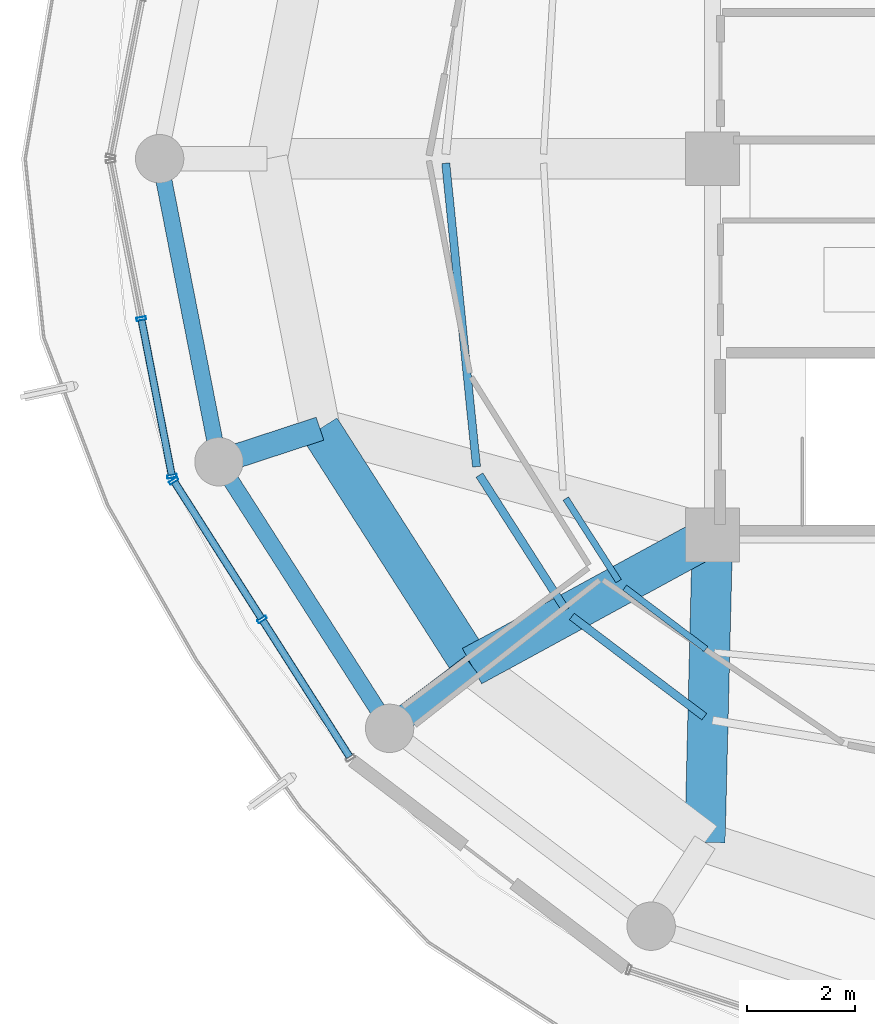
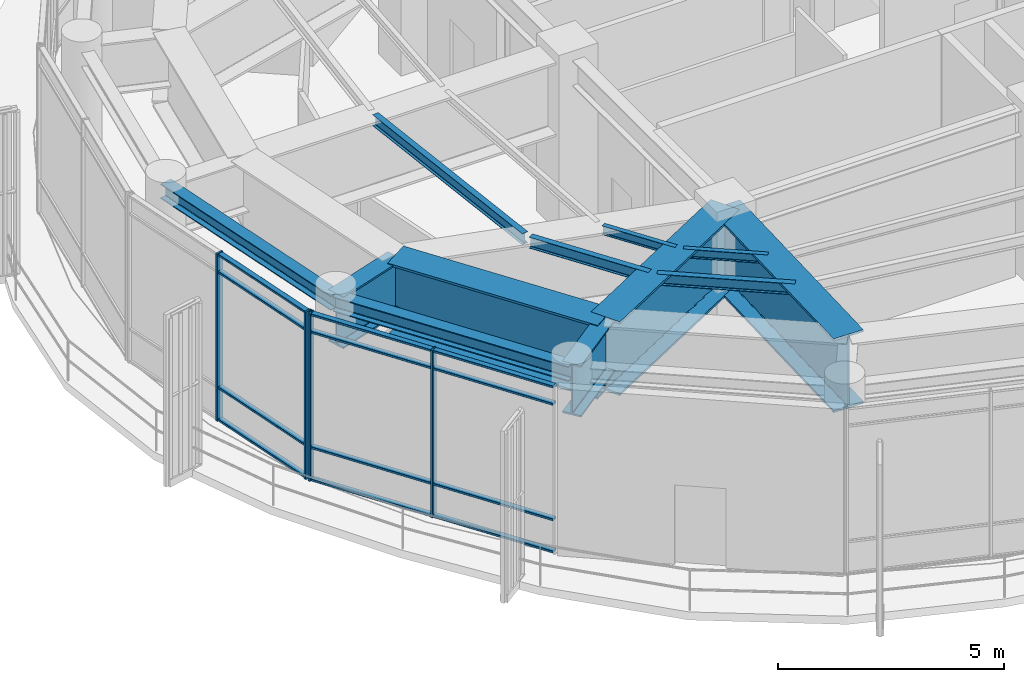
# One storey, part 3 of 23: 16 members, 12 beams, 2 elements without a shape of their own.
"""IFC4 building model written with IfcOpenShell, lengths in metres."""

from ifc_helpers import new_model, si_unit, direction, frame, origin, origin_2d, place, context, subcontext, project, spatial, hollow_rectangle, i_section, extrude, material, layer, layer_set, material_profile, profile_set, type_object, element, aggregate, save


model = new_model("IFC4")

# Units and contexts
model_context = context("Model", 3, precision=1e-05, world=origin(), true_north=direction((0.0, 1.0)))
body_context = subcontext(model_context, "Body", "Model", "MODEL_VIEW")
ifc_project = project(units=[si_unit("LENGTHUNIT", "METRE"), si_unit("AREAUNIT", "SQUARE_METRE"), si_unit("VOLUMEUNIT", "CUBIC_METRE"), si_unit("PLANEANGLEUNIT", "RADIAN"), si_unit("MASSUNIT", "GRAM", prefix="KILO")], contexts=[model_context])

# Site, building, storey
site_placement = place(None, origin())
site = spatial("IfcSite", under=ifc_project, at=site_placement, CompositionType="ELEMENT")
building_placement = place(site_placement, origin())
building = spatial("IfcBuilding", under=site, at=building_placement, Name="Kelanora Arch Commons", CompositionType="ELEMENT")
storey_placement = place(building_placement, frame((0.0, 0.0, 293.699951171875)))
storey = spatial("IfcBuildingStorey", under=building, at=storey_placement, Name="L75", CompositionType="ELEMENT", Elevation=293.699951171875)

# Beams
ifc_material_1 = material(Name="Steel S355", Category="steel")
ifc_material_profile_1 = material_profile(ifc_material_1, i_section(OverallWidth=0.14990234375, OverallDepth=0.300048828125, WebThickness=0.007080078125, FlangeThickness=0.0107421875, FilletRadius=0.014892578125, at=origin_2d()), Name="IPE300")
ifc_profile_set_1 = profile_set([ifc_material_profile_1], Name="Steel S355")
beam_type_1 = type_object("IfcBeamType", Name="BM-JST-01", PredefinedType="JOIST", material=ifc_profile_set_1)
beam_1_placement = place(storey_placement, frame((61.04052734375, 57.915283203125, 4.39013671875), z_axis=(0.100846008885, -0.994902046682, 0.0), x_axis=(0.994902046682, 0.100846008885, 0.0)))
element("IfcBeam", 1, at=beam_1_placement, inside=storey, type_object=beam_type_1, Name="Secondary Chord Joist BJB-18 L75", PredefinedType="JOIST", context=body_context, shape_type="SweptSolid", body=[
    extrude(i_section(OverallWidth=0.14990234375, OverallDepth=0.300048828125, WebThickness=0.007080078125, FlangeThickness=0.0107421875, FilletRadius=0.014892578125, at=origin_2d()), origin(), (0.0, 0.0, 1.0), 5.672119140625),
])
beam_2_placement = place(storey_placement, frame((61.6669921875, 52.115966796875, 4.39013671875), z_axis=(0.539193378054, -0.84218198809, 0.0), x_axis=(0.84218198809, 0.539193378054, 0.0)))
element("IfcBeam", 2, at=beam_2_placement, inside=storey, type_object=beam_type_1, Name="Secondary Chord Joist BJB-20 L75", PredefinedType="JOIST", context=body_context, shape_type="SweptSolid", body=[
    extrude(i_section(OverallWidth=0.14990234375, OverallDepth=0.300048828125, WebThickness=0.007080078125, FlangeThickness=0.0107421875, FilletRadius=0.014892578125, at=origin_2d()), origin(), (0.0, 0.0, 1.0), 2.975830078125),
])
beam_3_placement = place(storey_placement, frame((63.385009765625, 49.487060546875, 4.39013671875), z_axis=(0.797441333972, -0.603396485632, 0.0), x_axis=(0.603396485632, 0.797441333972, 0.0)))
element("IfcBeam", 3, at=beam_3_placement, inside=storey, type_object=beam_type_1, Name="Secondary Chord Joist BJB-22 L75", PredefinedType="JOIST", context=body_context, shape_type="SweptSolid", body=[
    extrude(i_section(OverallWidth=0.14990234375, OverallDepth=0.300048828125, WebThickness=0.007080078125, FlangeThickness=0.0107421875, FilletRadius=0.014892578125, at=origin_2d()), origin(), (0.0, 0.0, 1.0), 3.0888671875),
])
ifc_material_profile_2 = material_profile(ifc_material_1, i_section(OverallWidth=0.1201171875, OverallDepth=0.239990234375, WebThickness=0.006103515625, FlangeThickness=0.009765625, FilletRadius=0.014892578125, at=origin_2d()), Name="IPE240")
ifc_profile_set_2 = profile_set([ifc_material_profile_2], Name="Steel S355")
beam_type_2 = type_object("IfcBeamType", Name="BM-JST-02", PredefinedType="JOIST", material=ifc_profile_set_2)
beam_4_placement = place(storey_placement, frame((63.2724609375, 51.680419921875, 4.420166015625), z_axis=(0.539300812993, -0.842113194947, 0.0), x_axis=(0.842113194947, 0.539300812993, 0.0)))
element("IfcBeam", 4, at=beam_4_placement, inside=storey, type_object=beam_type_2, Name="Secondary Chord Joist BJA-20 L75", PredefinedType="JOIST", context=body_context, shape_type="SweptSolid", body=[
    extrude(i_section(OverallWidth=0.1201171875, OverallDepth=0.239990234375, WebThickness=0.006103515625, FlangeThickness=0.009765625, FilletRadius=0.014892578125, at=origin_2d()), origin(), (0.0, 0.0, 1.0), 1.822021484375),
])
beam_5_placement = place(storey_placement, frame((64.36865234375, 50.02294921875, 4.420166015625), z_axis=(0.797424826317, -0.603418301324, 0.0), x_axis=(0.603418301324, 0.797424826317, 0.0)))
element("IfcBeam", 5, at=beam_5_placement, inside=storey, type_object=beam_type_2, Name="Secondary Chord Joist BJA-22 L75", PredefinedType="JOIST", context=body_context, shape_type="SweptSolid", body=[
    extrude(i_section(OverallWidth=0.1201171875, OverallDepth=0.239990234375, WebThickness=0.006103515625, FlangeThickness=0.009765625, FilletRadius=0.014892578125, at=origin_2d()), origin(), (0.0, 0.0, 1.0), 1.893798828125),
])
ifc_material_profile_3 = material_profile(ifc_material_1, i_section(OverallWidth=0.449951171875, OverallDepth=1.39990234375, WebThickness=0.028076171875, FlangeThickness=0.044921875, FilletRadius=0.02392578125, at=origin_2d()), Name="PG1400x450")
ifc_profile_set_3 = profile_set([ifc_material_profile_3], Name="Steel S355")
beam_type_3 = type_object("IfcBeamType", Name="BM-MAST-GRIL", PredefinedType="USERDEFINED", material=ifc_profile_set_3)
beam_6_placement = place(storey_placement, frame((58.701904296875, 52.97900390625, 3.820068359375), z_axis=(-0.950336730407, -0.311223551228, 0.0), x_axis=(0.311223551228, -0.950336730407, 0.0)))
element("IfcBeam", 6, at=beam_6_placement, inside=storey, type_object=beam_type_3, Name="Radial Floor Girder BR-20 L75", ObjectType="TRANSFER_GIRDER", PredefinedType="USERDEFINED", context=body_context, shape_type="SweptSolid", body=[
    extrude(i_section(OverallWidth=0.449951171875, OverallDepth=1.39990234375, WebThickness=0.028076171875, FlangeThickness=0.044921875, FilletRadius=0.02392578125, at=origin_2d()), origin(), (0.0, 0.0, 1.0), 1.9775390625),
])
beam_7_placement = place(storey_placement, frame((61.52880859375, 48.56396484375, 3.820068359375), z_axis=(-0.798042616897, -0.60260101362, 0.0), x_axis=(0.60260101362, -0.798042616897, 0.0)))
element("IfcBeam", 7, at=beam_7_placement, inside=storey, type_object=beam_type_3, Name="Radial Floor Girder BR-22 L75", ObjectType="TRANSFER_GIRDER", PredefinedType="USERDEFINED", context=body_context, shape_type="SweptSolid", body=[
    extrude(i_section(OverallWidth=0.449951171875, OverallDepth=1.39990234375, WebThickness=0.028076171875, FlangeThickness=0.044921875, FilletRadius=0.02392578125, at=origin_2d()), origin(), (0.0, 0.0, 1.0), 1.919921875),
])
ifc_material_profile_4 = material_profile(ifc_material_1, i_section(OverallWidth=0.300048828125, OverallDepth=0.39990234375, WebThickness=0.013427734375, FlangeThickness=0.02392578125, FilletRadius=0.027099609375, at=origin_2d()), Name="HEB400")
ifc_profile_set_4 = profile_set([ifc_material_profile_4], Name="Steel S355")
beam_type_4 = type_object("IfcBeamType", Name="BM-SPN-Z4", PredefinedType="SPANDREL", material=ifc_profile_set_4)
beam_8_placement = place(storey_placement, frame((55.719970703125, 58.0, 4.320068359375), z_axis=(0.191969774604, -0.981400838413, 0.0), x_axis=(0.981400838413, 0.191969774604, 0.0)))
element("IfcBeam", 8, at=beam_8_placement, inside=storey, type_object=beam_type_4, Name="Perimeter Spandrel Beam BS-18 L75", PredefinedType="SPANDREL", context=body_context, shape_type="SweptSolid", body=[
    extrude(i_section(OverallWidth=0.300048828125, OverallDepth=0.39990234375, WebThickness=0.013427734375, FlangeThickness=0.02392578125, FilletRadius=0.027099609375, at=origin_2d()), origin(), (0.0, 0.0, 1.0), 5.743408203125),
])
beam_9_placement = place(storey_placement, frame((56.822509765625, 52.363525390625, 4.320068359375), z_axis=(0.539280851353, -0.842125978322, 0.0), x_axis=(0.842125978322, 0.539280851353, 0.0)))
element("IfcBeam", 9, at=beam_9_placement, inside=storey, type_object=beam_type_4, Name="Perimeter Spandrel Beam BS-20 L75", PredefinedType="SPANDREL", context=body_context, shape_type="SweptSolid", body=[
    extrude(i_section(OverallWidth=0.300048828125, OverallDepth=0.39990234375, WebThickness=0.013427734375, FlangeThickness=0.02392578125, FilletRadius=0.027099609375, at=origin_2d()), origin(), (0.0, 0.0, 1.0), 5.8857421875),
])
ifc_material_profile_5 = material_profile(ifc_material_1, i_section(OverallWidth=0.75, OverallDepth=2.0, WebThickness=0.034912109375, FlangeThickness=0.06005859375, FilletRadius=0.028076171875, at=origin_2d()), Name="PG2000x750")
ifc_profile_set_5 = profile_set([ifc_material_profile_5], Name="Steel S355")
beam_type_5 = type_object("IfcBeamType", Name="BM-XFER-SET", PredefinedType="USERDEFINED", material=ifc_profile_set_5)
beam_10_placement = place(storey_placement, frame((66.0, 51.0, 3.5400390625), z_axis=(-0.878126355987, -0.478428785631, 0.0), x_axis=(0.478428785631, -0.878126355987, 0.0)))
element("IfcBeam", 10, at=beam_10_placement, inside=storey, type_object=beam_type_5, Name="Setback Radial Transfer Girder BRI-22 L75", ObjectType="TRANSFER_GIRDER", PredefinedType="USERDEFINED", context=body_context, shape_type="SweptSolid", body=[
    extrude(i_section(OverallWidth=0.75, OverallDepth=2.0, WebThickness=0.034912109375, FlangeThickness=0.06005859375, FilletRadius=0.028076171875, at=origin_2d()), origin(), (0.0, 0.0, 1.0), 5.091796875),
])
beam_11_placement = place(storey_placement, frame((66.0, 51.0, 3.5400390625), z_axis=(-0.0244777504, -0.99970037498, 0.0), x_axis=(0.99970037498, -0.0244777504, 0.0)))
element("IfcBeam", 11, at=beam_11_placement, inside=storey, type_object=beam_type_5, Name="Setback Radial Transfer Girder BRI-24 L75", ObjectType="TRANSFER_GIRDER", PredefinedType="USERDEFINED", context=body_context, shape_type="SweptSolid", body=[
    extrude(i_section(OverallWidth=0.75, OverallDepth=2.0, WebThickness=0.034912109375, FlangeThickness=0.06005859375, FilletRadius=0.028076171875, at=origin_2d()), origin(), (0.0, 0.0, 1.0), 5.715087890625),
])
beam_12_placement = place(storey_placement, frame((58.701904296875, 52.97900390625, 3.5400390625), z_axis=(0.53922680048, -0.842160588987, 0.0), x_axis=(0.842160588987, 0.53922680048, 0.0)))
element("IfcBeam", 12, at=beam_12_placement, inside=storey, type_object=beam_type_5, Name="Setback Inner Transfer Ring BSI-20 L75", ObjectType="TRANSFER_GIRDER", PredefinedType="USERDEFINED", context=body_context, shape_type="SweptSolid", body=[
    extrude(i_section(OverallWidth=0.75, OverallDepth=2.0, WebThickness=0.034912109375, FlangeThickness=0.06005859375, FilletRadius=0.028076171875, at=origin_2d()), origin(), (0.0, 0.0, 1.0), 5.242431640625),
])

# Curtain wall, members
ifc_material_2 = material(Name="Terracotta ceramic-fritted low-E glass and aluminium", Category="masonry")
ifc_layer = layer(ifc_material_2, 0.22509765625)
ifc_layer_set = layer_set([ifc_layer], Name="Terracotta ceramic-fritted low-E glass and aluminium")
curtain_wall_type = type_object("IfcCurtainWallType", Name="CW-SYS-05", PredefinedType="NOTDEFINED", material=ifc_layer_set)
curtain_wall_1_placement = place(storey_placement, origin())
curtain_wall_1 = element("IfcCurtainWall", 13, at=curtain_wall_1_placement, inside=storey, type_object=curtain_wall_type, Name="Unitised Curtain Wall L75-B09", PredefinedType="NOTDEFINED")
ifc_material_3 = material(Name="Powder-coated aluminium terracotta", Category="masonry")
ifc_material_profile_6 = material_profile(ifc_material_3, hollow_rectangle(XDim=0.179931640625, YDim=0.06005859375, WallThickness=0.0048828125, InnerFilletRadius=0.0048828125, OuterFilletRadius=0.010009765625, at=origin_2d()), Name="CWM180x60")
ifc_profile_set_6 = profile_set([ifc_material_profile_6], Name="Powder-coated aluminium terracotta")
member_type_1 = type_object("IfcMemberType", Name="CWM-HVY", PredefinedType="MULLION", material=ifc_profile_set_6)
member_1_placement = place(storey_placement, frame((55.37890625, 55.0244140625, 0.0), z_axis=(0.0, 0.0, 1.0), x_axis=(0.981595542501, 0.190971701941, 0.0)))
member_1 = element("IfcMember", 14, at=member_1_placement, type_object=member_type_1, Name="CW-05 mullion 2", PredefinedType="MULLION", context=body_context, shape_type="SweptSolid", body=[
    extrude(hollow_rectangle(XDim=0.179931640625, YDim=0.06005859375, WallThickness=0.0048828125, InnerFilletRadius=0.0048828125, OuterFilletRadius=0.010009765625, at=origin_2d()), origin(), (0.0, 0.0, 1.0), 4.525146484375),
])
member_2_placement = place(storey_placement, frame((55.94921875, 52.093017578125, 0.0), z_axis=(0.0, 0.0, 1.0), x_axis=(0.981595542501, 0.190971701941, 0.0)))
member_2 = element("IfcMember", 15, at=member_2_placement, type_object=member_type_1, Name="CW-05 mullion 3", PredefinedType="MULLION", context=body_context, shape_type="SweptSolid", body=[
    extrude(hollow_rectangle(XDim=0.179931640625, YDim=0.06005859375, WallThickness=0.0048828125, InnerFilletRadius=0.0048828125, OuterFilletRadius=0.010009765625, at=origin_2d()), origin(), (0.0, 0.0, 1.0), 4.525146484375),
])

curtain_wall_2_placement = place(storey_placement, origin())
curtain_wall_2 = element("IfcCurtainWall", 16, at=curtain_wall_2_placement, inside=storey, type_object=curtain_wall_type, Name="Unitised Curtain Wall L75-B10", PredefinedType="NOTDEFINED")
member_3_placement = place(storey_placement, frame((55.982177734375, 52.0107421875, 0.0), z_axis=(0.0, 0.0, 1.0), x_axis=(0.843391314545, 0.537299814397, 0.0)))
member_3 = element("IfcMember", 17, at=member_3_placement, type_object=member_type_1, Name="CW-05 mullion 1", PredefinedType="MULLION", context=body_context, shape_type="SweptSolid", body=[
    extrude(hollow_rectangle(XDim=0.179931640625, YDim=0.06005859375, WallThickness=0.0048828125, InnerFilletRadius=0.0048828125, OuterFilletRadius=0.010009765625, at=origin_2d()), origin(), (0.0, 0.0, 1.0), 4.525146484375),
])
member_4_placement = place(storey_placement, frame((57.625, 49.43212890625, 0.0), z_axis=(0.0, 0.0, 1.0), x_axis=(0.843391314545, 0.537299814397, 0.0)))
member_4 = element("IfcMember", 18, at=member_4_placement, type_object=member_type_1, Name="CW-05 mullion 2", PredefinedType="MULLION", context=body_context, shape_type="SweptSolid", body=[
    extrude(hollow_rectangle(XDim=0.179931640625, YDim=0.06005859375, WallThickness=0.0048828125, InnerFilletRadius=0.0048828125, OuterFilletRadius=0.010009765625, at=origin_2d()), origin(), (0.0, 0.0, 1.0), 4.525146484375),
])

# Member
ifc_material_profile_7 = material_profile(ifc_material_3, hollow_rectangle(XDim=0.139892578125, YDim=0.06005859375, WallThickness=0.0048828125, InnerFilletRadius=0.0048828125, OuterFilletRadius=0.010009765625, at=origin_2d()), Name="CWT140x60")
ifc_profile_set_7 = profile_set([ifc_material_profile_7], Name="Powder-coated aluminium terracotta")
member_type_2 = type_object("IfcMemberType", Name="CWT-HVY", PredefinedType="USERDEFINED", material=ifc_profile_set_7)
member_5_placement = place(storey_placement, frame((55.384765625, 54.994873046875, 0.030029296875), z_axis=(0.190963443354, -0.981597149192, 0.0), x_axis=(0.981597149192, 0.190963443354, 0.0)))
member_5 = element("IfcMember", 19, at=member_5_placement, type_object=member_type_2, Name="CW-05 transom 2.1", ObjectType="TRANSOM", PredefinedType="USERDEFINED", context=body_context, shape_type="SweptSolid", body=[
    extrude(hollow_rectangle(XDim=0.139892578125, YDim=0.06005859375, WallThickness=0.0048828125, InnerFilletRadius=0.0048828125, OuterFilletRadius=0.010009765625, at=origin_2d()), origin(), (0.0, 0.0, 1.0), 2.926513671875),
])

member_6_placement = place(storey_placement, frame((55.384765625, 54.994873046875, 0.900146484375), z_axis=(0.190963443354, -0.981597149192, 0.0), x_axis=(0.981597149192, 0.190963443354, 0.0)))
member_6 = element("IfcMember", 20, at=member_6_placement, type_object=member_type_2, Name="CW-05 transom 2.2", ObjectType="TRANSOM", PredefinedType="USERDEFINED", context=body_context, shape_type="SweptSolid", body=[
    extrude(hollow_rectangle(XDim=0.139892578125, YDim=0.06005859375, WallThickness=0.0048828125, InnerFilletRadius=0.0048828125, OuterFilletRadius=0.010009765625, at=origin_2d()), origin(), (0.0, 0.0, 1.0), 2.926513671875),
])

member_7_placement = place(storey_placement, frame((55.384765625, 54.994873046875, 4.025146484375), z_axis=(0.190963443354, -0.981597149192, 0.0), x_axis=(0.981597149192, 0.190963443354, 0.0)))
member_7 = element("IfcMember", 21, at=member_7_placement, type_object=member_type_2, Name="CW-05 transom 2.3", ObjectType="TRANSOM", PredefinedType="USERDEFINED", context=body_context, shape_type="SweptSolid", body=[
    extrude(hollow_rectangle(XDim=0.139892578125, YDim=0.06005859375, WallThickness=0.0048828125, InnerFilletRadius=0.0048828125, OuterFilletRadius=0.010009765625, at=origin_2d()), origin(), (0.0, 0.0, 1.0), 2.926513671875),
])

member_8_placement = place(storey_placement, frame((55.384765625, 54.994873046875, 4.4951171875), z_axis=(0.190963443354, -0.981597149192, 0.0), x_axis=(0.981597149192, 0.190963443354, 0.0)))
member_8 = element("IfcMember", 22, at=member_8_placement, type_object=member_type_2, Name="CW-05 transom 2.4", ObjectType="TRANSOM", PredefinedType="USERDEFINED", context=body_context, shape_type="SweptSolid", body=[
    extrude(hollow_rectangle(XDim=0.139892578125, YDim=0.06005859375, WallThickness=0.0048828125, InnerFilletRadius=0.0048828125, OuterFilletRadius=0.010009765625, at=origin_2d()), origin(), (0.0, 0.0, 1.0), 2.926513671875),
])

aggregate(curtain_wall_1, [member_1, member_2, member_5, member_6, member_7, member_8])

member_9_placement = place(storey_placement, frame((55.998291015625, 51.985595703125, 0.030029296875), z_axis=(0.537307571338, -0.843386372775, 0.0), x_axis=(0.843386372775, 0.537307571338, 0.0)))
member_9 = element("IfcMember", 23, at=member_9_placement, type_object=member_type_2, Name="CW-05 transom 1.1", ObjectType="TRANSOM", PredefinedType="USERDEFINED", context=body_context, shape_type="SweptSolid", body=[
    extrude(hollow_rectangle(XDim=0.139892578125, YDim=0.06005859375, WallThickness=0.0048828125, InnerFilletRadius=0.0048828125, OuterFilletRadius=0.010009765625, at=origin_2d()), origin(), (0.0, 0.0, 1.0), 2.99755859375),
])

member_10_placement = place(storey_placement, frame((55.998291015625, 51.985595703125, 0.900146484375), z_axis=(0.537307571338, -0.843386372775, 0.0), x_axis=(0.843386372775, 0.537307571338, 0.0)))
member_10 = element("IfcMember", 24, at=member_10_placement, type_object=member_type_2, Name="CW-05 transom 1.2", ObjectType="TRANSOM", PredefinedType="USERDEFINED", context=body_context, shape_type="SweptSolid", body=[
    extrude(hollow_rectangle(XDim=0.139892578125, YDim=0.06005859375, WallThickness=0.0048828125, InnerFilletRadius=0.0048828125, OuterFilletRadius=0.010009765625, at=origin_2d()), origin(), (0.0, 0.0, 1.0), 2.99755859375),
])

member_11_placement = place(storey_placement, frame((55.998291015625, 51.985595703125, 4.025146484375), z_axis=(0.537307571338, -0.843386372775, 0.0), x_axis=(0.843386372775, 0.537307571338, 0.0)))
member_11 = element("IfcMember", 25, at=member_11_placement, type_object=member_type_2, Name="CW-05 transom 1.3", ObjectType="TRANSOM", PredefinedType="USERDEFINED", context=body_context, shape_type="SweptSolid", body=[
    extrude(hollow_rectangle(XDim=0.139892578125, YDim=0.06005859375, WallThickness=0.0048828125, InnerFilletRadius=0.0048828125, OuterFilletRadius=0.010009765625, at=origin_2d()), origin(), (0.0, 0.0, 1.0), 2.99755859375),
])

member_12_placement = place(storey_placement, frame((55.998291015625, 51.985595703125, 4.4951171875), z_axis=(0.537307571338, -0.843386372775, 0.0), x_axis=(0.843386372775, 0.537307571338, 0.0)))
member_12 = element("IfcMember", 26, at=member_12_placement, type_object=member_type_2, Name="CW-05 transom 1.4", ObjectType="TRANSOM", PredefinedType="USERDEFINED", context=body_context, shape_type="SweptSolid", body=[
    extrude(hollow_rectangle(XDim=0.139892578125, YDim=0.06005859375, WallThickness=0.0048828125, InnerFilletRadius=0.0048828125, OuterFilletRadius=0.010009765625, at=origin_2d()), origin(), (0.0, 0.0, 1.0), 2.99755859375),
])

member_13_placement = place(storey_placement, frame((57.64111328125, 49.40673828125, 0.030029296875), z_axis=(0.537286543791, -0.84339976871, 0.0), x_axis=(0.84339976871, 0.537286543791, 0.0)))
member_13 = element("IfcMember", 27, at=member_13_placement, type_object=member_type_2, Name="CW-05 transom 2.1", ObjectType="TRANSOM", PredefinedType="USERDEFINED", context=body_context, shape_type="SweptSolid", body=[
    extrude(hollow_rectangle(XDim=0.139892578125, YDim=0.06005859375, WallThickness=0.0048828125, InnerFilletRadius=0.0048828125, OuterFilletRadius=0.010009765625, at=origin_2d()), origin(), (0.0, 0.0, 1.0), 2.997314453125),
])

member_14_placement = place(storey_placement, frame((57.64111328125, 49.40673828125, 0.900146484375), z_axis=(0.537286543791, -0.84339976871, 0.0), x_axis=(0.84339976871, 0.537286543791, 0.0)))
member_14 = element("IfcMember", 28, at=member_14_placement, type_object=member_type_2, Name="CW-05 transom 2.2", ObjectType="TRANSOM", PredefinedType="USERDEFINED", context=body_context, shape_type="SweptSolid", body=[
    extrude(hollow_rectangle(XDim=0.139892578125, YDim=0.06005859375, WallThickness=0.0048828125, InnerFilletRadius=0.0048828125, OuterFilletRadius=0.010009765625, at=origin_2d()), origin(), (0.0, 0.0, 1.0), 2.997314453125),
])

member_15_placement = place(storey_placement, frame((57.64111328125, 49.40673828125, 4.025146484375), z_axis=(0.537286543791, -0.84339976871, 0.0), x_axis=(0.84339976871, 0.537286543791, 0.0)))
member_15 = element("IfcMember", 29, at=member_15_placement, type_object=member_type_2, Name="CW-05 transom 2.3", ObjectType="TRANSOM", PredefinedType="USERDEFINED", context=body_context, shape_type="SweptSolid", body=[
    extrude(hollow_rectangle(XDim=0.139892578125, YDim=0.06005859375, WallThickness=0.0048828125, InnerFilletRadius=0.0048828125, OuterFilletRadius=0.010009765625, at=origin_2d()), origin(), (0.0, 0.0, 1.0), 2.997314453125),
])

member_16_placement = place(storey_placement, frame((57.64111328125, 49.40673828125, 4.4951171875), z_axis=(0.537286543791, -0.84339976871, 0.0), x_axis=(0.84339976871, 0.537286543791, 0.0)))
member_16 = element("IfcMember", 30, at=member_16_placement, type_object=member_type_2, Name="CW-05 transom 2.4", ObjectType="TRANSOM", PredefinedType="USERDEFINED", context=body_context, shape_type="SweptSolid", body=[
    extrude(hollow_rectangle(XDim=0.139892578125, YDim=0.06005859375, WallThickness=0.0048828125, InnerFilletRadius=0.0048828125, OuterFilletRadius=0.010009765625, at=origin_2d()), origin(), (0.0, 0.0, 1.0), 2.997314453125),
])

aggregate(curtain_wall_2, [member_3, member_4, member_9, member_10, member_11, member_12, member_13, member_14, member_15, member_16])

save(model, "model.ifc")
